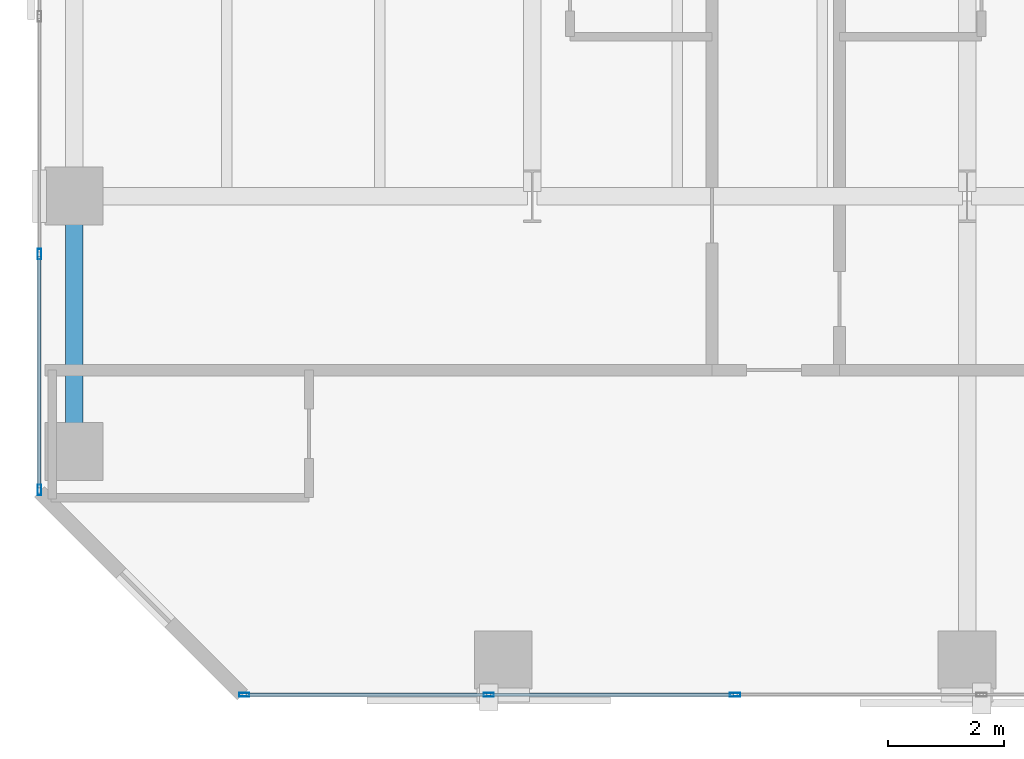
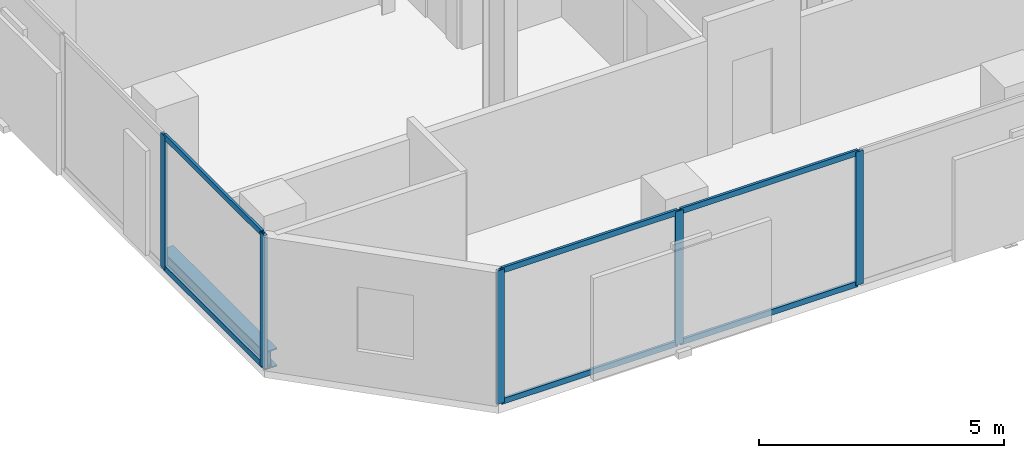
# One storey, part 2 of 31: 11 members, 1 beam, 2 elements without a shape of their own.
"""IFC4 building model written with IfcOpenShell, lengths in metres."""

from ifc_helpers import new_model, si_unit, direction, frame, origin, origin_2d, place, context, subcontext, project, spatial, hollow_rectangle, i_section, extrude, material, layer, layer_set, material_profile, profile_set, type_object, element, aggregate, save


model = new_model("IFC4")

# Units and contexts
model_context = context("Model", 3, precision=1e-05, world=origin(), true_north=direction((0.0, 1.0)))
body_context = subcontext(model_context, "Body", "Model", "MODEL_VIEW")
ifc_project = project(units=[si_unit("LENGTHUNIT", "METRE"), si_unit("AREAUNIT", "SQUARE_METRE"), si_unit("VOLUMEUNIT", "CUBIC_METRE"), si_unit("PLANEANGLEUNIT", "RADIAN"), si_unit("MASSUNIT", "GRAM", prefix="KILO")], contexts=[model_context])

# Site, building, storey
site_placement = place(None, origin())
site = spatial("IfcSite", under=ifc_project, at=site_placement, CompositionType="ELEMENT")
building_placement = place(site_placement, origin())
building = spatial("IfcBuilding", under=site, at=building_placement, Name="Catumbela Crestline Tower", CompositionType="ELEMENT")
storey_placement = place(building_placement, frame((0.0, 0.0, 25.8)))
storey = spatial("IfcBuildingStorey", under=building, at=storey_placement, Name="L05", CompositionType="ELEMENT", Elevation=25.8)

# Curtain wall, members
ifc_material_1 = material(Name="Aluminium alloy AW-6060-T66", Category="aluminium")
ifc_layer = layer(ifc_material_1, 0.18, Name="Aluminium alloy AW-6060-T66")
ifc_layer_set = layer_set([ifc_layer], Name="Aluminium alloy AW-6060-T66")
curtain_wall_type = type_object("IfcCurtainWallType", Name="CWU-Z1", PredefinedType="USERDEFINED", material=ifc_layer_set)
curtain_wall_1_placement = place(storey_placement, origin())
curtain_wall_1 = element("IfcCurtainWall", 1, at=curtain_wall_1_placement, inside=storey, type_object=curtain_wall_type, Name="L05 Unitised Curtain Wall CW-L05-E0S1", ObjectType="UNITISED", PredefinedType="USERDEFINED")
ifc_material_profile_1 = material_profile(ifc_material_1, hollow_rectangle(XDim=0.065, YDim=0.18, WallThickness=0.004, at=origin_2d()), Name="ALU 180x65x4")
ifc_profile_set_1 = profile_set([ifc_material_profile_1], Name="Aluminium alloy AW-6060-T66")
member_type_1 = type_object("IfcMemberType", Name="MUL-180X65", PredefinedType="MULLION", material=ifc_profile_set_1)
member_1_placement = place(storey_placement, frame((3.5325, 0.0, 0.0), z_axis=(0.0, 0.0, 1.0), x_axis=(0.0, 1.0, 0.0)))
member_1 = element("IfcMember", 2, at=member_1_placement, type_object=member_type_1, Name="CWU-Z1 mullion 1", PredefinedType="MULLION", context=body_context, shape_type="SweptSolid", body=[
    extrude(hollow_rectangle(XDim=0.065, YDim=0.18, WallThickness=0.004, at=origin_2d()), origin(), (0.0, 0.0, 1.0), 3.33),
])
member_2_placement = place(storey_placement, frame((7.75, 0.0, 0.0), z_axis=(0.0, 0.0, 1.0), x_axis=(0.0, 1.0, 0.0)))
member_2 = element("IfcMember", 3, at=member_2_placement, type_object=member_type_1, Name="CWU-Z1 mullion 2", PredefinedType="MULLION", context=body_context, shape_type="SweptSolid", body=[
    extrude(hollow_rectangle(XDim=0.065, YDim=0.18, WallThickness=0.004, at=origin_2d()), origin(), (0.0, 0.0, 1.0), 3.33),
])
member_3_placement = place(storey_placement, frame((12.0, 0.0, 0.0), z_axis=(0.0, 0.0, 1.0), x_axis=(0.0, 1.0, 0.0)))
member_3 = element("IfcMember", 4, at=member_3_placement, type_object=member_type_1, Name="CWU-Z1 mullion 3", PredefinedType="MULLION", context=body_context, shape_type="SweptSolid", body=[
    extrude(hollow_rectangle(XDim=0.065, YDim=0.18, WallThickness=0.004, at=origin_2d()), origin(), (0.0, 0.0, 1.0), 3.33),
])

curtain_wall_2_placement = place(storey_placement, origin())
curtain_wall_2 = element("IfcCurtainWall", 5, at=curtain_wall_2_placement, inside=storey, type_object=curtain_wall_type, Name="L05 Unitised Curtain Wall CW-L05-E9S1", ObjectType="UNITISED", PredefinedType="USERDEFINED")
member_4_placement = place(storey_placement, frame((0.0, 7.6, 0.0), z_axis=(0.0, 0.0, 1.0), x_axis=(1.0, 0.0, 0.0)))
member_4 = element("IfcMember", 6, at=member_4_placement, type_object=member_type_1, Name="CWU-Z1 mullion 10", PredefinedType="MULLION", context=body_context, shape_type="SweptSolid", body=[
    extrude(hollow_rectangle(XDim=0.065, YDim=0.18, WallThickness=0.004, at=origin_2d()), origin(), (0.0, 0.0, 1.0), 3.33),
])
member_5_placement = place(storey_placement, frame((0.0, 3.5325, 0.0), z_axis=(0.0, 0.0, 1.0), x_axis=(1.0, 0.0, 0.0)))
member_5 = element("IfcMember", 7, at=member_5_placement, type_object=member_type_1, Name="CWU-Z1 mullion 11", PredefinedType="MULLION", context=body_context, shape_type="SweptSolid", body=[
    extrude(hollow_rectangle(XDim=0.065, YDim=0.18, WallThickness=0.004, at=origin_2d()), origin(), (0.0, 0.0, 1.0), 3.33),
])

# Beam
ifc_material_2 = material(Name="Structural steel S355J2", Category="steel")
ifc_material_profile_2 = material_profile(ifc_material_2, i_section(OverallWidth=0.3, OverallDepth=0.45, WebThickness=0.014, FlangeThickness=0.026, FilletRadius=0.027, at=origin_2d()), Name="HEB 450")
ifc_profile_set_2 = profile_set([ifc_material_profile_2], Name="Structural steel S355J2")
beam_type = type_object("IfcBeamType", Name="BS-HEB450", PredefinedType="SPANDREL", material=ifc_profile_set_2)
beam_placement = place(storey_placement, frame((0.6, 4.28, -0.485), z_axis=(0.0, 1.0, 0.0), x_axis=(-1.0, 0.0, 0.0)))
element("IfcBeam", 8, at=beam_placement, inside=storey, type_object=beam_type, Name="L05 Spandrel SP-L05-WNS57", PredefinedType="SPANDREL", context=body_context, shape_type="SweptSolid", body=[
    extrude(i_section(OverallWidth=0.3, OverallDepth=0.45, WebThickness=0.014, FlangeThickness=0.026, FilletRadius=0.027, at=origin_2d()), origin(), (0.0, 0.0, 1.0), 4.24),
])

# Member
ifc_material_profile_3 = material_profile(ifc_material_1, hollow_rectangle(XDim=0.06, YDim=0.14, WallThickness=0.004, at=origin_2d()), Name="ALU 140x60x4")
ifc_profile_set_3 = profile_set([ifc_material_profile_3], Name="Aluminium alloy AW-6060-T66")
member_type_2 = type_object("IfcMemberType", Name="TRN-140X60", PredefinedType="USERDEFINED", material=ifc_profile_set_3)
member_6_placement = place(storey_placement, frame((3.565, 0.0, 0.03), z_axis=(1.0, 0.0, 0.0), x_axis=(0.0, 1.0, 0.0)))
member_6 = element("IfcMember", 9, at=member_6_placement, type_object=member_type_2, Name="CWU-Z1 transom 1.1", ObjectType="TRANSOM", PredefinedType="USERDEFINED", context=body_context, shape_type="SweptSolid", body=[
    extrude(hollow_rectangle(XDim=0.06, YDim=0.14, WallThickness=0.004, at=origin_2d()), origin(), (0.0, 0.0, 1.0), 4.1525),
])

member_7_placement = place(storey_placement, frame((3.565, 0.0, 3.3), z_axis=(1.0, 0.0, 0.0), x_axis=(0.0, 1.0, 0.0)))
member_7 = element("IfcMember", 10, at=member_7_placement, type_object=member_type_2, Name="CWU-Z1 transom 1.2", ObjectType="TRANSOM", PredefinedType="USERDEFINED", context=body_context, shape_type="SweptSolid", body=[
    extrude(hollow_rectangle(XDim=0.06, YDim=0.14, WallThickness=0.004, at=origin_2d()), origin(), (0.0, 0.0, 1.0), 4.1525),
])

member_8_placement = place(storey_placement, frame((7.7825, 0.0, 0.03), z_axis=(1.0, 0.0, 0.0), x_axis=(0.0, 1.0, 0.0)))
member_8 = element("IfcMember", 11, at=member_8_placement, type_object=member_type_2, Name="CWU-Z1 transom 2.1", ObjectType="TRANSOM", PredefinedType="USERDEFINED", context=body_context, shape_type="SweptSolid", body=[
    extrude(hollow_rectangle(XDim=0.06, YDim=0.14, WallThickness=0.004, at=origin_2d()), origin(), (0.0, 0.0, 1.0), 4.185),
])

member_9_placement = place(storey_placement, frame((7.7825, 0.0, 3.3), z_axis=(1.0, 0.0, 0.0), x_axis=(0.0, 1.0, 0.0)))
member_9 = element("IfcMember", 12, at=member_9_placement, type_object=member_type_2, Name="CWU-Z1 transom 2.2", ObjectType="TRANSOM", PredefinedType="USERDEFINED", context=body_context, shape_type="SweptSolid", body=[
    extrude(hollow_rectangle(XDim=0.06, YDim=0.14, WallThickness=0.004, at=origin_2d()), origin(), (0.0, 0.0, 1.0), 4.185),
])

aggregate(curtain_wall_1, [member_1, member_2, member_3, member_6, member_7, member_8, member_9])

member_10_placement = place(storey_placement, frame((0.0, 7.5675, 0.03), z_axis=(0.0, -1.0, 0.0), x_axis=(1.0, 0.0, 0.0)))
member_10 = element("IfcMember", 13, at=member_10_placement, type_object=member_type_2, Name="CWU-Z1 transom 10.1", ObjectType="TRANSOM", PredefinedType="USERDEFINED", context=body_context, shape_type="SweptSolid", body=[
    extrude(hollow_rectangle(XDim=0.06, YDim=0.14, WallThickness=0.004, at=origin_2d()), origin(), (0.0, 0.0, 1.0), 4.0025),
])

member_11_placement = place(storey_placement, frame((0.0, 7.5675, 3.3), z_axis=(0.0, -1.0, 0.0), x_axis=(1.0, 0.0, 0.0)))
member_11 = element("IfcMember", 14, at=member_11_placement, type_object=member_type_2, Name="CWU-Z1 transom 10.2", ObjectType="TRANSOM", PredefinedType="USERDEFINED", context=body_context, shape_type="SweptSolid", body=[
    extrude(hollow_rectangle(XDim=0.06, YDim=0.14, WallThickness=0.004, at=origin_2d()), origin(), (0.0, 0.0, 1.0), 4.0025),
])

aggregate(curtain_wall_2, [member_4, member_5, member_10, member_11])

save(model, "model.ifc")
